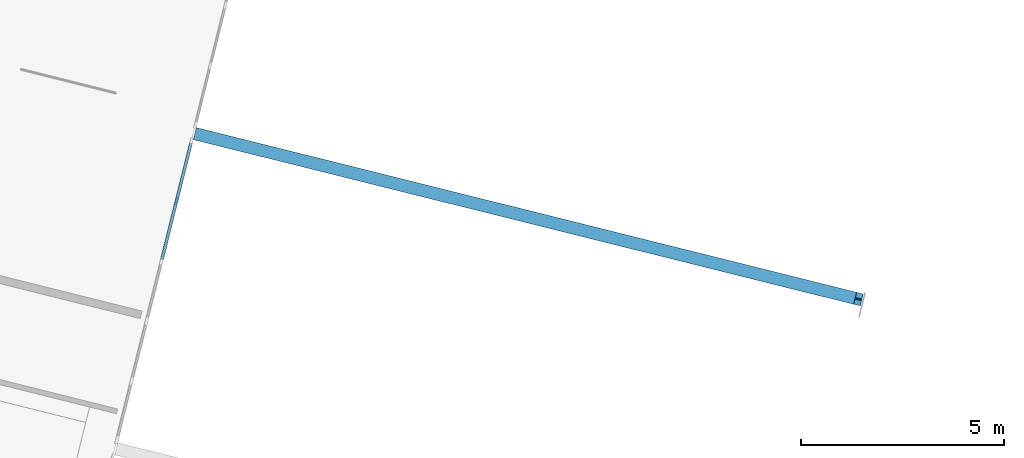
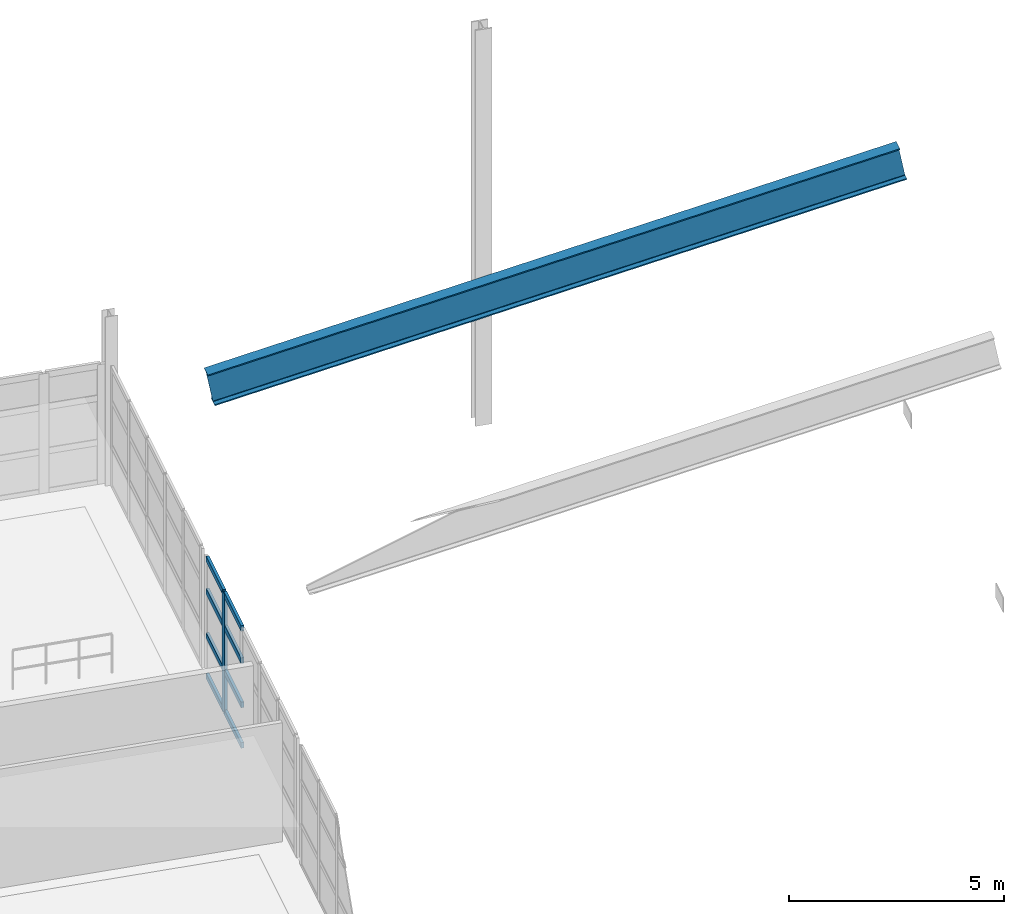
# One storey, part 17 of 59: 9 members, 1 beam, 1 element without a shape of its own.
"""IFC4 building model written with IfcOpenShell, lengths in metres."""

from ifc_helpers import new_model, si_unit, direction, frame, origin, origin_2d, place, context, subcontext, project, spatial, rectangle, i_section, extrude, material, layer, layer_set, material_profile, profile_set, type_object, element, aggregate, save


model = new_model("IFC4")

# Units and contexts
model_context = context("Model", 3, precision=1e-05, world=origin(), true_north=direction((0.0, 1.0)))
body_context = subcontext(model_context, "Body", "Model", "MODEL_VIEW")
ifc_project = project(units=[si_unit("LENGTHUNIT", "METRE"), si_unit("AREAUNIT", "SQUARE_METRE"), si_unit("VOLUMEUNIT", "CUBIC_METRE"), si_unit("PLANEANGLEUNIT", "RADIAN"), si_unit("MASSUNIT", "GRAM", prefix="KILO")], contexts=[model_context])

# Site, building, storey
site_placement = place(None, origin())
site = spatial("IfcSite", under=ifc_project, at=site_placement, CompositionType="ELEMENT")
building_placement = place(site_placement, origin())
building = spatial("IfcBuilding", under=site, at=building_placement, Name="Vireo Bluff Cable Station", CompositionType="ELEMENT")
storey_placement = place(building_placement, frame((0.0, 0.0, 14.39990234375)))
storey = spatial("IfcBuildingStorey", under=building, at=storey_placement, Name="L03", CompositionType="ELEMENT", Elevation=14.39990234375)

# Curtain wall, members
ifc_material_1 = material(Name="Anodized Aluminium 6063-T6", Category="aluminium")
ifc_layer = layer(ifc_material_1, 0.179931640625, Name="Anodized Aluminium 6063-T6")
ifc_layer_set = layer_set([ifc_layer], Name="Anodized Aluminium 6063-T6")
curtain_wall_type = type_object("IfcCurtainWallType", Name="CW-UNIT-1650", PredefinedType="USERDEFINED", material=ifc_layer_set)
curtain_wall_placement = place(storey_placement, origin())
curtain_wall = element("IfcCurtainWall", 1, at=curtain_wall_placement, inside=storey, type_object=curtain_wall_type, Name="V1 L03 east curtain wall CW-029", ObjectType="UNITISED CURTAIN WALL", PredefinedType="USERDEFINED")
ifc_material_profile_1 = material_profile(ifc_material_1, rectangle(XDim=0.074951171875, YDim=0.2099609375, at=origin_2d()), Name="ALU-M-75X210")
ifc_profile_set_1 = profile_set([ifc_material_profile_1], Name="Anodized Aluminium 6063-T6")
member_type_1 = type_object("IfcMemberType", Name="CWM-02", PredefinedType="MULLION", material=ifc_profile_set_1)
member_1_placement = place(storey_placement, frame((109.853271484375, 38.802490234375, 0.0), z_axis=(0.0, 0.0, 1.0), x_axis=(0.970295712549, -0.241921950655, 0.0)))
member_1 = element("IfcMember", 2, at=member_1_placement, type_object=member_type_1, Name="CW-029 mullion 2", PredefinedType="MULLION", context=body_context, shape_type="SweptSolid", body=[
    extrude(rectangle(XDim=0.074951171875, YDim=0.2099609375, at=origin_2d()), origin(), (0.0, 0.0, 1.0), 3.400146484375),
])
ifc_material_profile_2 = material_profile(ifc_material_1, rectangle(XDim=0.074951171875, YDim=0.159912109375, at=origin_2d()), Name="ALU-T-75X160")
ifc_profile_set_2 = profile_set([ifc_material_profile_2], Name="Anodized Aluminium 6063-T6")
member_type_2 = type_object("IfcMemberType", Name="CWT-02", PredefinedType="USERDEFINED", material=ifc_profile_set_2)
member_2_placement = place(storey_placement, frame((110.20458984375, 40.211669921875, 0.03759765625), z_axis=(-0.241926548424, -0.970294566185, 0.0), x_axis=(0.970294566185, -0.241926548424, 0.0)))
member_2 = element("IfcMember", 3, at=member_2_placement, type_object=member_type_2, Name="CW-029 transom 1.1", ObjectType="TRANSOM", PredefinedType="USERDEFINED", context=body_context, shape_type="SweptSolid", body=[
    extrude(rectangle(XDim=0.074951171875, YDim=0.159912109375, at=origin_2d()), origin(), (0.0, 0.0, 1.0), 1.414794921875),
])
member_3_placement = place(storey_placement, frame((110.20458984375, 40.211669921875, 1.190185546875), z_axis=(-0.241926548424, -0.970294566185, 0.0), x_axis=(0.970294566185, -0.241926548424, 0.0)))
member_3 = element("IfcMember", 4, at=member_3_placement, type_object=member_type_2, Name="CW-029 transom 1.2", ObjectType="TRANSOM", PredefinedType="USERDEFINED", context=body_context, shape_type="SweptSolid", body=[
    extrude(rectangle(XDim=0.074951171875, YDim=0.159912109375, at=origin_2d()), origin(), (0.0, 0.0, 1.0), 1.414794921875),
])
member_4_placement = place(storey_placement, frame((110.20458984375, 40.211669921875, 2.447998046875), z_axis=(-0.241926548424, -0.970294566185, 0.0), x_axis=(0.970294566185, -0.241926548424, 0.0)))
member_4 = element("IfcMember", 5, at=member_4_placement, type_object=member_type_2, Name="CW-029 transom 1.3", ObjectType="TRANSOM", PredefinedType="USERDEFINED", context=body_context, shape_type="SweptSolid", body=[
    extrude(rectangle(XDim=0.074951171875, YDim=0.159912109375, at=origin_2d()), origin(), (0.0, 0.0, 1.0), 1.414794921875),
])
member_5_placement = place(storey_placement, frame((110.20458984375, 40.211669921875, 3.362548828125), z_axis=(-0.241926548424, -0.970294566185, 0.0), x_axis=(0.970294566185, -0.241926548424, 0.0)))
member_5 = element("IfcMember", 6, at=member_5_placement, type_object=member_type_2, Name="CW-029 transom 1.4", ObjectType="TRANSOM", PredefinedType="USERDEFINED", context=body_context, shape_type="SweptSolid", body=[
    extrude(rectangle(XDim=0.074951171875, YDim=0.159912109375, at=origin_2d()), origin(), (0.0, 0.0, 1.0), 1.414794921875),
])
member_6_placement = place(storey_placement, frame((109.84423828125, 38.76611328125, 0.03759765625), z_axis=(-0.241942172057, -0.970290670562, 0.0), x_axis=(0.970290670562, -0.241942172057, 0.0)))
member_6 = element("IfcMember", 7, at=member_6_placement, type_object=member_type_2, Name="CW-029 transom 2.1", ObjectType="TRANSOM", PredefinedType="USERDEFINED", context=body_context, shape_type="SweptSolid", body=[
    extrude(rectangle(XDim=0.074951171875, YDim=0.159912109375, at=origin_2d()), origin(), (0.0, 0.0, 1.0), 1.4521484375),
])
member_7_placement = place(storey_placement, frame((109.84423828125, 38.76611328125, 1.190185546875), z_axis=(-0.241942172057, -0.970290670562, 0.0), x_axis=(0.970290670562, -0.241942172057, 0.0)))
member_7 = element("IfcMember", 8, at=member_7_placement, type_object=member_type_2, Name="CW-029 transom 2.2", ObjectType="TRANSOM", PredefinedType="USERDEFINED", context=body_context, shape_type="SweptSolid", body=[
    extrude(rectangle(XDim=0.074951171875, YDim=0.159912109375, at=origin_2d()), origin(), (0.0, 0.0, 1.0), 1.4521484375),
])
member_8_placement = place(storey_placement, frame((109.84423828125, 38.76611328125, 2.447998046875), z_axis=(-0.241942172057, -0.970290670562, 0.0), x_axis=(0.970290670562, -0.241942172057, 0.0)))
member_8 = element("IfcMember", 9, at=member_8_placement, type_object=member_type_2, Name="CW-029 transom 2.3", ObjectType="TRANSOM", PredefinedType="USERDEFINED", context=body_context, shape_type="SweptSolid", body=[
    extrude(rectangle(XDim=0.074951171875, YDim=0.159912109375, at=origin_2d()), origin(), (0.0, 0.0, 1.0), 1.4521484375),
])
member_9_placement = place(storey_placement, frame((109.84423828125, 38.76611328125, 3.362548828125), z_axis=(-0.241942172057, -0.970290670562, 0.0), x_axis=(0.970290670562, -0.241942172057, 0.0)))
member_9 = element("IfcMember", 10, at=member_9_placement, type_object=member_type_2, Name="CW-029 transom 2.4", ObjectType="TRANSOM", PredefinedType="USERDEFINED", context=body_context, shape_type="SweptSolid", body=[
    extrude(rectangle(XDim=0.074951171875, YDim=0.159912109375, at=origin_2d()), origin(), (0.0, 0.0, 1.0), 1.4521484375),
])
aggregate(curtain_wall, [member_1, member_2, member_3, member_4, member_5, member_6, member_7, member_8, member_9])

# Beam
ifc_material_2 = material(Name="Steel ASTM A992 Gr. 50", Category="steel")
ifc_material_profile_3 = material_profile(ifc_material_2, i_section(OverallWidth=0.306884765625, OverallDepth=0.927001953125, WebThickness=0.019287109375, FlangeThickness=0.031982421875, FilletRadius=0.02001953125, at=origin_2d()), Name="W36X194")
ifc_profile_set_3 = profile_set([ifc_material_profile_3], Name="Steel ASTM A992 Gr. 50")
beam_type = type_object("IfcBeamType", Name="EXTGIR-W36X194", PredefinedType="USERDEFINED", material=ifc_profile_set_3)
beam_placement = place(storey_placement, frame((110.383056640625, 40.431884765625, 8.050048828125), z_axis=(0.953078951118, -0.237633016366, 0.187539495756), x_axis=(0.241925485041, 0.970294831321, 0.0)))
element("IfcBeam", 11, at=beam_placement, inside=storey, type_object=beam_type, Name="Aerial cableway departure guideway girder 2", ObjectType="GIRDER", PredefinedType="USERDEFINED", context=body_context, shape_type="SweptSolid", body=[
    extrude(i_section(OverallWidth=0.306884765625, OverallDepth=0.927001953125, WebThickness=0.019287109375, FlangeThickness=0.031982421875, FilletRadius=0.02001953125, at=origin_2d()), origin(), (0.0, 0.0, 1.0), 17.062744140625),
])

save(model, "model.ifc")
